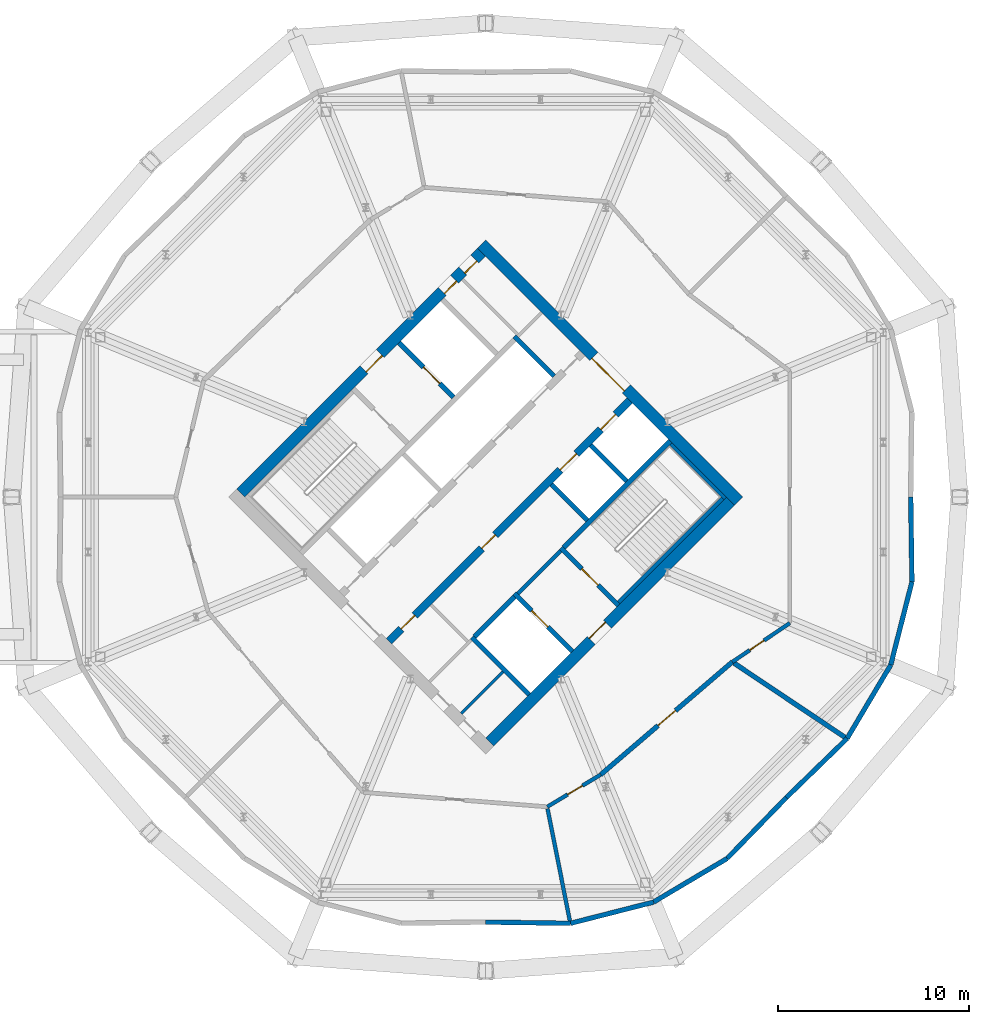
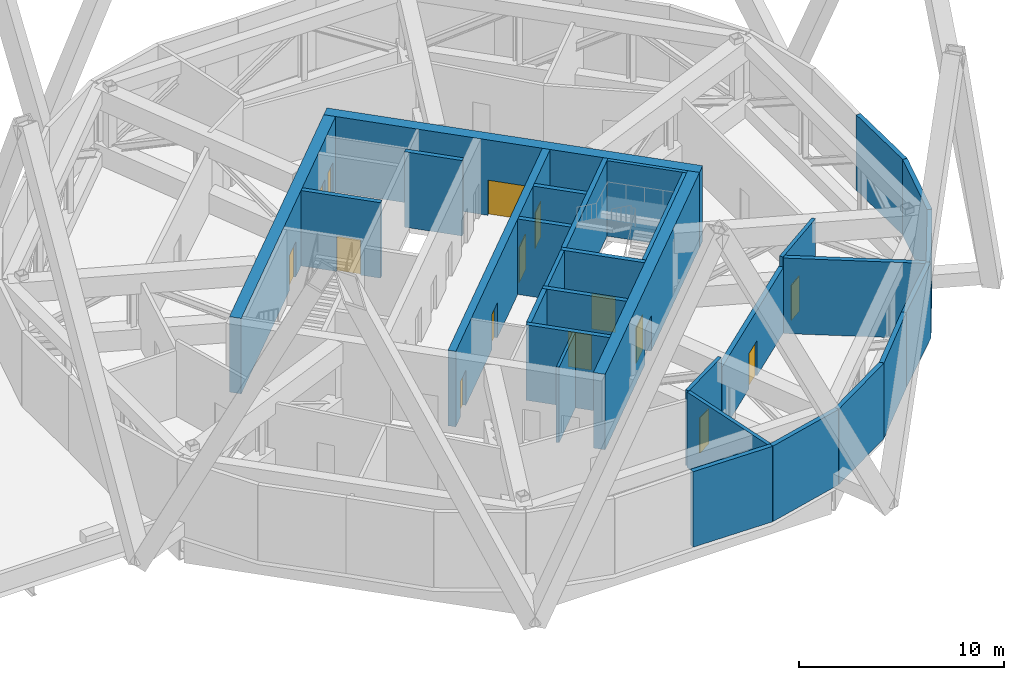
# One storey, part 16 of 20: 30 walls, 15 doors, 15 openings.
"""IFC4 building model written with IfcOpenShell, lengths in metres."""

from ifc_helpers import new_model, si_unit, direction, frame, frame_2d, origin, place, context, subcontext, project, spatial, rectangle, extrude, material, layer, layer_set, type_object, element, fill, save


model = new_model("IFC4")

# Units and contexts
model_context = context("Model", 3, precision=1e-05, world=origin(), true_north=direction((0.0, 1.0)))
body_context = subcontext(model_context, "Body", "Model", "MODEL_VIEW")
ifc_project = project(units=[si_unit("LENGTHUNIT", "METRE"), si_unit("AREAUNIT", "SQUARE_METRE"), si_unit("VOLUMEUNIT", "CUBIC_METRE"), si_unit("PLANEANGLEUNIT", "RADIAN"), si_unit("MASSUNIT", "GRAM", prefix="KILO")], contexts=[model_context])

# Site, building, storey
site_placement = place(None, origin())
site = spatial("IfcSite", under=ifc_project, at=site_placement, CompositionType="ELEMENT")
building_placement = place(site_placement, origin())
building = spatial("IfcBuilding", under=site, at=building_placement, Name="Ogive Gate Towers", CompositionType="ELEMENT")
storey_placement = place(building_placement, frame((0.0, 0.0, 160.800048828125)))
storey = spatial("IfcBuildingStorey", under=building, at=storey_placement, Name="L38", CompositionType="ELEMENT", Elevation=160.800048828125)

# Walls
ifc_material_1 = material(Name="Masonry blockwork", Category="masonry")
ifc_layer_1 = layer(ifc_material_1, 0.199951171875)
ifc_layer_set_1 = layer_set([ifc_layer_1], Name="Blockwork wall 200 mm")
wall_type_1 = type_object("IfcWallType", Name="Blockwork wall 200 mm", PredefinedType="PARTITIONING", material=ifc_layer_set_1)
wall_1_placement = place(storey_placement, frame((37.679443359375, -5.0380859375, 0.0), z_axis=(0.0, 0.0, 1.0), x_axis=(0.707106781187, 0.707106781187, 0.0)))
element("IfcWall", 1, at=wall_1_placement, inside=storey, type_object=wall_type_1, Name="T2 L38 Blockwork wall 200 mm", PredefinedType="PARTITIONING", context=body_context, shape_type="SweptSolid", body=[
    extrude(rectangle(XDim=3.14990234375, YDim=0.199951171875, at=frame_2d((1.574951171875, 0.0))), origin(), (0.0, 0.0, 1.0), 4.5),
])
ifc_material_2 = material(Name="Fire-rated block compartment wall")
ifc_layer_2 = layer(ifc_material_2, 0.199951171875)
ifc_layer_set_2 = layer_set([ifc_layer_2], Name="Compartment wall 200")
wall_type_2 = type_object("IfcWallType", Name="Compartment wall 200", PredefinedType="PARTITIONING", material=ifc_layer_set_2)
wall_2_placement = place(storey_placement, frame((40.428466796875, -22.30419921875, 0.0), z_axis=(0.0, 0.0, 1.0), x_axis=(-0.194754029692, 0.980852113174, 0.0)))
element("IfcWall", 2, at=wall_2_placement, inside=storey, type_object=wall_type_2, Name="Partition T2-L38-005", PredefinedType="PARTITIONING", context=body_context, shape_type="SweptSolid", body=[
    extrude(rectangle(XDim=6.13623046875, YDim=0.199951171875, at=frame_2d((3.068115234375, 0.0))), origin(), (0.0, 0.0, 1.0), 4.5),
])

# Wall, opening, door
wall_3_placement = place(storey_placement, frame((39.214111328125, -16.1875, 0.0), z_axis=(0.0, 0.0, 1.0), x_axis=(0.857261622912, 0.514881063822, 0.0)))
wall_3 = element("IfcWall", 3, at=wall_3_placement, inside=storey, type_object=wall_type_2, Name="Partition T2-L38-008", PredefinedType="PARTITIONING", context=body_context, shape_type="SweptSolid", body=[
    extrude(rectangle(XDim=3.2607421875, YDim=0.199951171875, at=frame_2d((1.63037109375, 0.0))), origin(), (0.0, 0.0, 1.0), 4.5),
])
opening_1_placement = place(wall_3_placement, frame((1.241943359375, 0.0, 0.0)))
opening_1 = element("IfcOpeningElement", 4, at=opening_1_placement, cuts=wall_3, Name="Opening T2-L38-D02", PredefinedType="OPENING", context=body_context, shape_type="SweptSolid", body=[
    extrude(rectangle(XDim=0.89990234375, YDim=2.10009765625, at=frame_2d((0.449951171875, 1.050048828125))), frame((0.0, 0.10986328125, 0.0), z_axis=(0.0, -1.0, 0.0), x_axis=(1.0, 0.0, 0.0)), (0.0, 0.0, 1.0), 0.219970703125),
])
ifc_material_3 = material(Name="Steel fire door", Category="steel")
door_type_1 = type_object("IfcDoorType", Name="Fire door 900 FD30S", OperationType="NOTDEFINED", PredefinedType="DOOR", material=ifc_material_3)
door_1_placement = place(opening_1_placement, origin())
door_1 = element("IfcDoor", 5, at=door_1_placement, inside=storey, type_object=door_type_1, Name="Door T2-L38-D02", OperationType="SINGLE_SWING_LEFT", OverallHeight=2.10009765625, OverallWidth=0.89990234375, PredefinedType="DOOR", context=body_context, shape_type="SweptSolid", body=[
    extrude(rectangle(XDim=0.89990234375, YDim=2.10009765625, at=frame_2d((0.449951171875, 1.050048828125))), frame((0.0, 0.02490234375, 0.0), z_axis=(0.0, -1.0, 0.0), x_axis=(1.0, 0.0, 0.0)), (0.0, 0.0, 1.0), 0.050048828125),
])
fill(opening_1, door_1)

wall_4_placement = place(storey_placement, frame((48.8876953125, -8.61767578125, 0.0), z_axis=(0.0, 0.0, 1.0), x_axis=(0.828275150553, 0.560321581751, 0.0)))
wall_4 = element("IfcWall", 6, at=wall_4_placement, inside=storey, type_object=wall_type_2, Name="Partition T2-L38-010", PredefinedType="PARTITIONING", context=body_context, shape_type="SweptSolid", body=[
    extrude(rectangle(XDim=3.6298828125, YDim=0.199951171875, at=frame_2d((1.81494140625, 0.0))), origin(), (0.0, 0.0, 1.0), 4.5),
])
opening_2_placement = place(wall_4_placement, frame((1.10302734375, 0.0, 0.0)))
opening_2 = element("IfcOpeningElement", 7, at=opening_2_placement, cuts=wall_4, Name="Opening T2-L38-D04", PredefinedType="OPENING", context=body_context, shape_type="SweptSolid", body=[
    extrude(rectangle(XDim=0.89990234375, YDim=2.10009765625, at=frame_2d((0.449951171875, 1.050048828125))), frame((0.0, 0.10986328125, 0.0), z_axis=(0.0, -1.0, 0.0), x_axis=(1.0, 0.0, 0.0)), (0.0, 0.0, 1.0), 0.219970703125),
])
door_2_placement = place(opening_2_placement, origin())
door_2 = element("IfcDoor", 8, at=door_2_placement, inside=storey, type_object=door_type_1, Name="Door T2-L38-D04", OperationType="SINGLE_SWING_RIGHT", OverallHeight=2.10009765625, OverallWidth=0.89990234375, PredefinedType="DOOR", context=body_context, shape_type="SweptSolid", body=[
    extrude(rectangle(XDim=0.89990234375, YDim=2.10009765625, at=frame_2d((0.449951171875, 1.050048828125))), frame((0.0, 0.02490234375, 0.0), z_axis=(0.0, -1.0, 0.0), x_axis=(1.0, 0.0, 0.0)), (0.0, 0.0, 1.0), 0.050048828125),
])
fill(opening_2, door_2)

ifc_material_4 = material(Name="Concrete C60/75", Category="concrete")
ifc_layer_3 = layer(ifc_material_4, 0.60009765625)
ifc_layer_set_3 = layer_set([ifc_layer_3], Name="Core wall 600 mm")
wall_type_3 = type_object("IfcWallType", Name="Core wall 600 mm", PredefinedType="SHEAR", material=ifc_layer_set_3)
wall_5_placement = place(storey_placement, frame((36.212158203125, -12.798583984375, 0.0), z_axis=(0.0, 0.0, 1.0), x_axis=(0.707106781187, 0.707106781187, 0.0)))
wall_5 = element("IfcWall", 9, at=wall_5_placement, inside=storey, type_object=wall_type_3, Name="T2 L38 Core wall 600 mm", PredefinedType="SHEAR", context=body_context, shape_type="SweptSolid", body=[
    extrude(rectangle(XDim=17.7998046875, YDim=0.60009765625, at=frame_2d((8.89990234375, 0.0))), origin(), (0.0, 0.0, 1.0), 4.5),
])
opening_3_placement = place(wall_5_placement, frame((7.5, 0.0, 0.0)))
opening_3 = element("IfcOpeningElement", 10, at=opening_3_placement, cuts=wall_5, Name="Opening KD-T2-L38-19", PredefinedType="OPENING", context=body_context, shape_type="SweptSolid", body=[
    extrude(rectangle(XDim=1.199951171875, YDim=2.10009765625, at=frame_2d((0.60009765625, 1.050048828125))), frame((0.0, 0.31005859375, 0.0), z_axis=(0.0, -1.0, 0.0), x_axis=(1.0, 0.0, 0.0)), (0.0, 0.0, 1.0), 0.6201171875),
])
door_type_2 = type_object("IfcDoorType", Name="Core door FD60S 1200 x 2100", OperationType="NOTDEFINED", PredefinedType="DOOR", material=ifc_material_3)
door_3_placement = place(opening_3_placement, origin())
door_3 = element("IfcDoor", 11, at=door_3_placement, inside=storey, type_object=door_type_2, Name="T2 L38 Fire-fighting lobby door", OperationType="SINGLE_SWING_RIGHT", OverallHeight=2.10009765625, OverallWidth=1.199951171875, PredefinedType="DOOR", context=body_context, shape_type="SweptSolid", body=[
    extrude(rectangle(XDim=1.199951171875, YDim=2.10009765625, at=frame_2d((0.60009765625, 1.050048828125))), frame((0.0, 0.1748046875, 0.0), z_axis=(0.0, -1.0, 0.0), x_axis=(1.0, 0.0, 0.0)), (0.0, 0.0, 1.0), 0.050048828125),
])
fill(opening_3, door_3)

# Wall, openings, doors
wall_6_placement = place(storey_placement, frame((23.201416015625, 0.212158203125, 0.0), z_axis=(0.0, 0.0, 1.0), x_axis=(0.707106781187, 0.707106781187, 0.0)))
wall_6 = element("IfcWall", 12, at=wall_6_placement, inside=storey, type_object=wall_type_3, Name="T2 L38 Core wall 600 mm", PredefinedType="SHEAR", context=body_context, shape_type="SweptSolid", body=[
    extrude(rectangle(XDim=17.7998046875, YDim=0.60009765625, at=frame_2d((8.89990234375, 0.0))), origin(), (0.0, 0.0, 1.0), 4.5),
])
opening_4_placement = place(wall_6_placement, frame((9.10009765625, 0.0, 0.0)))
opening_4 = element("IfcOpeningElement", 13, at=opening_4_placement, cuts=wall_6, Name="Opening KD-T2-L38-18", PredefinedType="OPENING", context=body_context, shape_type="SweptSolid", body=[
    extrude(rectangle(XDim=1.199951171875, YDim=2.10009765625, at=frame_2d((0.60009765625, 1.050048828125))), frame((0.0, 0.31005859375, 0.0), z_axis=(0.0, -1.0, 0.0), x_axis=(1.0, 0.0, 0.0)), (0.0, 0.0, 1.0), 0.6201171875),
])
opening_5_placement = place(wall_6_placement, frame((14.89990234375, 0.0, 0.0)))
opening_5 = element("IfcOpeningElement", 14, at=opening_5_placement, cuts=wall_6, Name="Opening KD-T2-L38-20", PredefinedType="OPENING", context=body_context, shape_type="SweptSolid", body=[
    extrude(rectangle(XDim=0.89990234375, YDim=2.10009765625, at=frame_2d((0.449951171875, 1.050048828125))), frame((0.0, 0.31005859375, 0.0), z_axis=(0.0, -1.0, 0.0), x_axis=(1.0, 0.0, 0.0)), (0.0, 0.0, 1.0), 0.6201171875),
])
opening_6_placement = place(wall_6_placement, frame((16.39990234375, 0.0, 0.0)))
opening_6 = element("IfcOpeningElement", 15, at=opening_6_placement, cuts=wall_6, Name="Opening KD-T2-L38-21", PredefinedType="OPENING", context=body_context, shape_type="SweptSolid", body=[
    extrude(rectangle(XDim=0.89990234375, YDim=2.10009765625, at=frame_2d((0.449951171875, 1.050048828125))), frame((0.0, 0.31005859375, 0.0), z_axis=(0.0, -1.0, 0.0), x_axis=(1.0, 0.0, 0.0)), (0.0, 0.0, 1.0), 0.6201171875),
])
door_4_placement = place(opening_4_placement, origin())
door_4 = element("IfcDoor", 16, at=door_4_placement, inside=storey, type_object=door_type_2, Name="T2 L38 Fire-fighting lobby door", OperationType="SINGLE_SWING_LEFT", OverallHeight=2.10009765625, OverallWidth=1.199951171875, PredefinedType="DOOR", context=body_context, shape_type="SweptSolid", body=[
    extrude(rectangle(XDim=1.199951171875, YDim=2.10009765625, at=frame_2d((0.60009765625, 1.050048828125))), frame((0.0, -0.125, 0.0), z_axis=(0.0, -1.0, 0.0), x_axis=(1.0, 0.0, 0.0)), (0.0, 0.0, 1.0), 0.050048828125),
])
fill(opening_4, door_4)
door_type_3 = type_object("IfcDoorType", Name="Core door FD60S 900 x 2100", OperationType="NOTDEFINED", PredefinedType="DOOR", material=ifc_material_3)
door_5_placement = place(opening_5_placement, origin())
door_5 = element("IfcDoor", 17, at=door_5_placement, inside=storey, type_object=door_type_3, Name="T2 L38 Core door", OperationType="SINGLE_SWING_LEFT", OverallHeight=2.10009765625, OverallWidth=0.89990234375, PredefinedType="DOOR", context=body_context, shape_type="SweptSolid", body=[
    extrude(rectangle(XDim=0.89990234375, YDim=2.10009765625, at=frame_2d((0.449951171875, 1.050048828125))), frame((0.0, -0.125, 0.0), z_axis=(0.0, -1.0, 0.0), x_axis=(1.0, 0.0, 0.0)), (0.0, 0.0, 1.0), 0.050048828125),
])
fill(opening_5, door_5)
door_6_placement = place(opening_6_placement, origin())
door_6 = element("IfcDoor", 18, at=door_6_placement, inside=storey, type_object=door_type_3, Name="T2 L38 Core door", OperationType="SINGLE_SWING_RIGHT", OverallHeight=2.10009765625, OverallWidth=0.89990234375, PredefinedType="DOOR", context=body_context, shape_type="SweptSolid", body=[
    extrude(rectangle(XDim=0.89990234375, YDim=2.10009765625, at=frame_2d((0.449951171875, 1.050048828125))), frame((0.0, -0.125, 0.0), z_axis=(0.0, -1.0, 0.0), x_axis=(1.0, 0.0, 0.0)), (0.0, 0.0, 1.0), 0.050048828125),
])
fill(opening_6, door_6)

# Wall, opening, door
wall_7_placement = place(storey_placement, frame((49.222900390625, -0.212158203125, 0.0), z_axis=(0.0, 0.0, 1.0), x_axis=(-0.707106781187, 0.707106781187, 0.0)))
wall_7 = element("IfcWall", 19, at=wall_7_placement, inside=storey, type_object=wall_type_3, Name="T2 L38 Core wall 600 mm", PredefinedType="SHEAR", context=body_context, shape_type="SweptSolid", body=[
    extrude(rectangle(XDim=19.0, YDim=0.60009765625, at=frame_2d((9.5, 0.0))), origin(), (0.0, 0.0, 1.0), 4.5),
])
opening_7_placement = place(wall_7_placement, frame((8.300048828125, 0.0, 0.0)))
opening_7 = element("IfcOpeningElement", 20, at=opening_7_placement, cuts=wall_7, Name="Opening KD-T2-L38-02", PredefinedType="OPENING", context=body_context, shape_type="SweptSolid", body=[
    extrude(rectangle(XDim=2.39990234375, YDim=2.10009765625, at=frame_2d((1.199951171875, 1.050048828125))), frame((0.0, 0.31005859375, 0.0), z_axis=(0.0, -1.0, 0.0), x_axis=(1.0, 0.0, 0.0)), (0.0, 0.0, 1.0), 0.6201171875),
])
door_type_4 = type_object("IfcDoorType", Name="Core double door FD60S 2400 x 2100", OperationType="DOUBLE_DOOR_SINGLE_SWING", PredefinedType="DOOR", material=ifc_material_3)
door_7_placement = place(opening_7_placement, origin())
door_7 = element("IfcDoor", 21, at=door_7_placement, inside=storey, type_object=door_type_4, Name="T2 L38 Core door double", OperationType="DOUBLE_DOOR_SINGLE_SWING", OverallHeight=2.10009765625, OverallWidth=2.39990234375, PredefinedType="DOOR", context=body_context, shape_type="SweptSolid", body=[
    extrude(rectangle(XDim=2.39990234375, YDim=2.10009765625, at=frame_2d((1.199951171875, 1.050048828125))), frame((0.0, 0.1748046875, 0.0), z_axis=(0.0, -1.0, 0.0), x_axis=(1.0, 0.0, 0.0)), (0.0, 0.0, 1.0), 0.050048828125),
])
fill(opening_7, door_7)

# Walls
ifc_material_5 = material(Name="Pale metal aluminium louvre", Category="aluminium")
ifc_layer_4 = layer(ifc_material_5, 0.25)
ifc_layer_set_4 = layer_set([ifc_layer_4], Name="Plant louvre wall")
wall_type_4 = type_object("IfcWallType", Name="Plant louvre wall", PredefinedType="SOLIDWALL", material=ifc_layer_set_4)
wall_8_placement = place(storey_placement, frame((36.0, -22.215087890625, 0.0), z_axis=(0.0, 0.0, 1.0), x_axis=(0.99989908405, -0.014206397031, 0.0)))
element("IfcWall", 22, at=wall_8_placement, inside=storey, type_object=wall_type_4, Name="Plant louvre wall", PredefinedType="SOLIDWALL", context=body_context, shape_type="SweptSolid", body=[
    extrude(rectangle(XDim=4.433837890625, YDim=0.25, at=frame_2d((2.216796875, 0.0))), origin(), (0.0, 0.0, 1.0), 4.5),
])
wall_9_placement = place(storey_placement, frame((40.433349609375, -22.278076171875, 0.0), z_axis=(0.0, 0.0, 1.0), x_axis=(0.968881251356, 0.247526000192, 0.0)))
element("IfcWall", 23, at=wall_9_placement, inside=storey, type_object=wall_type_4, Name="Plant louvre wall", PredefinedType="SOLIDWALL", context=body_context, shape_type="SweptSolid", body=[
    extrude(rectangle(XDim=4.474853515625, YDim=0.25, at=frame_2d((2.2373046875, 0.0))), origin(), (0.0, 0.0, 1.0), 4.5),
])
wall_10_placement = place(storey_placement, frame((44.76904296875, -21.17041015625, 0.0), z_axis=(0.0, 0.0, 1.0), x_axis=(0.860119566149, 0.510092473899, 0.0)))
element("IfcWall", 24, at=wall_10_placement, inside=storey, type_object=wall_type_4, Name="Plant louvre wall", PredefinedType="SOLIDWALL", context=body_context, shape_type="SweptSolid", body=[
    extrude(rectangle(XDim=4.47509765625, YDim=0.25, at=frame_2d((2.237548828125, 0.0))), origin(), (0.0, 0.0, 1.0), 4.5),
])
for number, where, z_axis, x_axis, name in (
    (25, (48.6181640625, -18.8876953125, 0.0), (0.0, 0.0, 1.0), (0.69701391124, 0.717057604058, 0.0), "Plant louvre wall"),
    (26, (51.70849609375, -15.70849609375, 0.0), (0.0, 0.0, 1.0), (0.717057604058, 0.69701391124, 0.0), "Plant louvre wall"),
):
    element("IfcWall", number, at=place(storey_placement, frame(where, z_axis=z_axis, x_axis=x_axis)), inside=storey, type_object=wall_type_4, Name=name, PredefinedType="SOLIDWALL", context=body_context, shape_type="SweptSolid", body=[
        extrude(rectangle(XDim=4.43359375, YDim=0.25, at=frame_2d((2.216796875, 0.0))), origin(), (0.0, 0.0, 1.0), 4.5),
    ])
wall_11_placement = place(storey_placement, frame((54.8876953125, -12.6181640625, 0.0), z_axis=(0.0, 0.0, 1.0), x_axis=(0.510092473899, 0.860119566149, 0.0)))
element("IfcWall", 27, at=wall_11_placement, inside=storey, type_object=wall_type_4, Name="Plant louvre wall", PredefinedType="SOLIDWALL", context=body_context, shape_type="SweptSolid", body=[
    extrude(rectangle(XDim=4.47509765625, YDim=0.25, at=frame_2d((2.237548828125, 0.0))), origin(), (0.0, 0.0, 1.0), 4.5),
])
wall_12_placement = place(storey_placement, frame((57.17041015625, -8.76904296875, 0.0), z_axis=(0.0, 0.0, 1.0), x_axis=(0.247526000192, 0.968881251356, 0.0)))
element("IfcWall", 28, at=wall_12_placement, inside=storey, type_object=wall_type_4, Name="Plant louvre wall", PredefinedType="SOLIDWALL", context=body_context, shape_type="SweptSolid", body=[
    extrude(rectangle(XDim=4.474853515625, YDim=0.25, at=frame_2d((2.2373046875, 0.0))), origin(), (0.0, 0.0, 1.0), 4.5),
])
wall_13_placement = place(storey_placement, frame((58.278076171875, -4.433349609375, 0.0), z_axis=(0.0, 0.0, 1.0), x_axis=(-0.014206397031, 0.99989908405, 0.0)))
element("IfcWall", 29, at=wall_13_placement, inside=storey, type_object=wall_type_4, Name="Plant louvre wall", PredefinedType="SOLIDWALL", context=body_context, shape_type="SweptSolid", body=[
    extrude(rectangle(XDim=4.433837890625, YDim=0.25, at=frame_2d((2.216796875, 0.0))), origin(), (0.0, 0.0, 1.0), 4.5),
])
ifc_material_6 = material(Name="Fire-rated concrete block wall", Category="concrete")
ifc_layer_5 = layer(ifc_material_6, 0.25)
ifc_layer_set_5 = layer_set([ifc_layer_5], Name="Refuge compartment wall 250")
wall_type_5 = type_object("IfcWallType", Name="Refuge compartment wall 250", PredefinedType="PARTITIONING", material=ifc_layer_set_5)
wall_14_placement = place(storey_placement, frame((54.90283203125, -12.639892578125, 0.0), z_axis=(0.0, 0.0, 1.0), x_axis=(-0.831278311074, 0.55585642889, 0.0)))
element("IfcWall", 30, at=wall_14_placement, inside=storey, type_object=wall_type_5, Name="Partition T2-L38-006", PredefinedType="PARTITIONING", context=body_context, shape_type="SweptSolid", body=[
    extrude(rectangle(XDim=7.11083984375, YDim=0.25, at=frame_2d((3.555419921875, 0.0))), origin(), (0.0, 0.0, 1.0), 4.5),
])

# Wall, opening, door
wall_15_placement = place(storey_placement, frame((42.009521484375, -14.508544921875, 0.0), z_axis=(0.0, 0.0, 1.0), x_axis=(0.759513445787, 0.650491603073, 0.0)))
wall_15 = element("IfcWall", 31, at=wall_15_placement, inside=storey, type_object=wall_type_5, Name="Partition T2-L38-009", PredefinedType="PARTITIONING", context=body_context, shape_type="SweptSolid", body=[
    extrude(rectangle(XDim=9.055908203125, YDim=0.25, at=frame_2d((4.52783203125, 0.0))), origin(), (0.0, 0.0, 1.0), 3.89990234375),
])
opening_8_placement = place(wall_15_placement, frame((3.949951171875, 0.0, 0.0)))
opening_8 = element("IfcOpeningElement", 32, at=opening_8_placement, cuts=wall_15, Name="Opening T2-L38-D03", PredefinedType="OPENING", context=body_context, shape_type="SweptSolid", body=[
    extrude(rectangle(XDim=1.199951171875, YDim=2.10009765625, at=frame_2d((0.60009765625, 1.050048828125))), frame((0.0, 0.135009765625, 0.0), z_axis=(0.0, -1.0, 0.0), x_axis=(1.0, 0.0, 0.0)), (0.0, 0.0, 1.0), 0.27001953125),
])
door_type_5 = type_object("IfcDoorType", Name="Fire door 1200 FD60S", OperationType="NOTDEFINED", PredefinedType="DOOR", material=ifc_material_3)
door_8_placement = place(opening_8_placement, origin())
door_8 = element("IfcDoor", 33, at=door_8_placement, inside=storey, type_object=door_type_5, Name="Door T2-L38-D03", OperationType="SINGLE_SWING_LEFT", OverallHeight=2.10009765625, OverallWidth=1.199951171875, PredefinedType="DOOR", context=body_context, shape_type="SweptSolid", body=[
    extrude(rectangle(XDim=1.199951171875, YDim=2.10009765625, at=frame_2d((0.60009765625, 1.050048828125))), frame((0.0, 0.02490234375, 0.0), z_axis=(0.0, -1.0, 0.0), x_axis=(1.0, 0.0, 0.0)), (0.0, 0.0, 1.0), 0.050048828125),
])
fill(opening_8, door_8)

# Walls
ifc_material_7 = material(Name="Gypsum board partition")
ifc_layer_6 = layer(ifc_material_7, 0.14990234375)
ifc_layer_set_6 = layer_set([ifc_layer_6], Name="Room partition 150 mm")
wall_type_6 = type_object("IfcWallType", Name="Room partition 150 mm", PredefinedType="PARTITIONING", material=ifc_layer_set_6)
wall_16_placement = place(storey_placement, frame((34.727294921875, -11.313720703125, 0.0), z_axis=(0.0, 0.0, 1.0), x_axis=(0.707106781187, 0.707106781187, 0.0)))
element("IfcWall", 34, at=wall_16_placement, inside=storey, type_object=wall_type_6, Name="T2 L38 Room partition 150 mm", PredefinedType="PARTITIONING", context=body_context, shape_type="SweptSolid", body=[
    extrude(rectangle(XDim=3.074951171875, YDim=0.14990234375, at=frame_2d((1.53759765625, 0.0))), origin(), (0.0, 0.0, 1.0), 4.5),
])
ifc_layer_7 = layer(ifc_material_4, 0.25)
ifc_layer_set_7 = layer_set([ifc_layer_7], Name="Shaft wall 250 mm")
wall_type_7 = type_object("IfcWallType", Name="Shaft wall 250 mm", PredefinedType="SHEAR", material=ifc_layer_set_7)
wall_17_placement = place(storey_placement, frame((35.41650390625, -7.30078125, 0.0), z_axis=(0.0, 0.0, 1.0), x_axis=(0.707148157867, 0.707065402085, 0.0)))
element("IfcWall", 35, at=wall_17_placement, inside=storey, type_object=wall_type_7, Name="T2 L38 Shaft wall 250 mm", PredefinedType="SHEAR", context=body_context, shape_type="SweptSolid", body=[
    extrude(rectangle(XDim=2.9501953125, YDim=0.25, at=frame_2d((1.47509765625, 0.0))), origin(), (0.0, 0.0, 1.0), 4.5),
])
wall_18_placement = place(storey_placement, frame((40.08349609375, -2.634033203125, 0.0), z_axis=(0.0, 0.0, 1.0), x_axis=(0.707106781187, 0.707106781187, 0.0)))
element("IfcWall", 36, at=wall_18_placement, inside=storey, type_object=wall_type_7, Name="T2 L38 Shaft wall 250 mm", PredefinedType="SHEAR", context=body_context, shape_type="SweptSolid", body=[
    extrude(rectangle(XDim=7.875244140625, YDim=0.25, at=frame_2d((3.9375, 0.0))), origin(), (0.0, 0.0, 1.0), 4.5),
])
wall_19_placement = place(storey_placement, frame((38.2626953125, -10.32373046875, 0.0), z_axis=(0.0, 0.0, 1.0), x_axis=(-0.707106781187, 0.707106781187, 0.0)))
element("IfcWall", 37, at=wall_19_placement, inside=storey, type_object=wall_type_7, Name="T2 L38 Shaft wall 250 mm", PredefinedType="SHEAR", context=body_context, shape_type="SweptSolid", body=[
    extrude(rectangle(XDim=4.22509765625, YDim=0.25, at=frame_2d((2.112548828125, 0.0))), origin(), (0.0, 0.0, 1.0), 4.5),
])

# Wall, opening, door
wall_20_placement = place(storey_placement, frame((40.525390625, -8.06103515625, 0.0), z_axis=(0.0, 0.0, 1.0), x_axis=(-0.707078225638, 0.707135335582, 0.0)))
wall_20 = element("IfcWall", 38, at=wall_20_placement, inside=storey, type_object=wall_type_7, Name="T2 L38 Shaft wall 250 mm", PredefinedType="SHEAR", context=body_context, shape_type="SweptSolid", body=[
    extrude(rectangle(XDim=4.27490234375, YDim=0.25, at=frame_2d((2.137451171875, 0.0))), origin(), (0.0, 0.0, 1.0), 4.5),
])
opening_9_placement = place(wall_20_placement, frame((1.800048828125, 0.0, 0.0)))
opening_9 = element("IfcOpeningElement", 39, at=opening_9_placement, cuts=wall_20, Name="Opening LD-T2-L38-13", PredefinedType="OPENING", context=body_context, shape_type="SweptSolid", body=[
    extrude(rectangle(XDim=1.199951171875, YDim=2.10009765625, at=frame_2d((0.60009765625, 1.050048828125))), frame((0.0, 0.135009765625, 0.0), z_axis=(0.0, -1.0, 0.0), x_axis=(1.0, 0.0, 0.0)), (0.0, 0.0, 1.0), 0.27001953125),
])
ifc_material_8 = material(Name="Stainless steel landing door", Category="steel")
door_type_6 = type_object("IfcDoorType", Name="Landing door 1200 x 2100", OperationType="SLIDING_TO_LEFT", PredefinedType="DOOR", material=ifc_material_8)
door_9_placement = place(opening_9_placement, origin())
door_9 = element("IfcDoor", 40, at=door_9_placement, inside=storey, type_object=door_type_6, Name="T2 L38 Lift landing door FF2", OperationType="SLIDING_TO_LEFT", OverallHeight=2.10009765625, OverallWidth=1.199951171875, PredefinedType="DOOR", context=body_context, shape_type="SweptSolid", body=[
    extrude(rectangle(XDim=1.199951171875, YDim=2.10009765625, at=frame_2d((0.60009765625, 1.050048828125))), frame((0.0, 0.02490234375, 0.0), z_axis=(0.0, -1.0, 0.0), x_axis=(1.0, 0.0, 0.0)), (0.0, 0.0, 1.0), 0.050048828125),
])
fill(opening_9, door_9)

wall_21_placement = place(storey_placement, frame((42.9296875, -5.656982421875, 0.0), z_axis=(0.0, 0.0, 1.0), x_axis=(-0.707106781187, 0.707106781187, 0.0)))
wall_21 = element("IfcWall", 41, at=wall_21_placement, inside=storey, type_object=wall_type_7, Name="T2 L38 Shaft wall 250 mm", PredefinedType="SHEAR", context=body_context, shape_type="SweptSolid", body=[
    extrude(rectangle(XDim=4.250244140625, YDim=0.25, at=frame_2d((2.125, 0.0))), origin(), (0.0, 0.0, 1.0), 4.5),
])
opening_10_placement = place(wall_21_placement, frame((1.5, 0.0, 0.0)))
opening_10 = element("IfcOpeningElement", 42, at=opening_10_placement, cuts=wall_21, Name="Opening KD-T2-L38-17", PredefinedType="OPENING", context=body_context, shape_type="SweptSolid", body=[
    extrude(rectangle(XDim=1.199951171875, YDim=2.10009765625, at=frame_2d((0.60009765625, 1.050048828125))), frame((0.0, 0.135009765625, 0.0), z_axis=(0.0, -1.0, 0.0), x_axis=(1.0, 0.0, 0.0)), (0.0, 0.0, 1.0), 0.27001953125),
])
door_10_placement = place(opening_10_placement, origin())
door_10 = element("IfcDoor", 43, at=door_10_placement, inside=storey, type_object=door_type_2, Name="T2 L38 Stair door", OperationType="SINGLE_SWING_RIGHT", OverallHeight=2.10009765625, OverallWidth=1.199951171875, PredefinedType="DOOR", context=body_context, shape_type="SweptSolid", body=[
    extrude(rectangle(XDim=1.199951171875, YDim=2.10009765625, at=frame_2d((0.60009765625, 1.050048828125))), frame((0.0, 0.02490234375, 0.0), z_axis=(0.0, -1.0, 0.0), x_axis=(1.0, 0.0, 0.0)), (0.0, 0.0, 1.0), 0.050048828125),
])
fill(opening_10, door_10)

wall_22_placement = place(storey_placement, frame((34.320556640625, 5.21484375, 0.0), z_axis=(0.0, 0.0, 1.0), x_axis=(-0.70707645213, 0.707137108942, 0.0)))
wall_22 = element("IfcWall", 44, at=wall_22_placement, inside=storey, type_object=wall_type_7, Name="T2 L38 Shaft wall 250 mm", PredefinedType="SHEAR", context=body_context, shape_type="SweptSolid", body=[
    extrude(rectangle(XDim=4.02490234375, YDim=0.25, at=frame_2d((2.012451171875, 0.0))), origin(), (0.0, 0.0, 1.0), 4.5),
])
opening_11_placement = place(wall_22_placement, frame((1.02490234375, 0.0, 0.0)))
opening_11 = element("IfcOpeningElement", 45, at=opening_11_placement, cuts=wall_22, Name="Opening LD-T2-L38-12", PredefinedType="OPENING", context=body_context, shape_type="SweptSolid", body=[
    extrude(rectangle(XDim=1.199951171875, YDim=2.10009765625, at=frame_2d((0.60009765625, 1.050048828125))), frame((0.0, 0.135009765625, 0.0), z_axis=(0.0, -1.0, 0.0), x_axis=(1.0, 0.0, 0.0)), (0.0, 0.0, 1.0), 0.27001953125),
])
door_11_placement = place(opening_11_placement, origin())
door_11 = element("IfcDoor", 46, at=door_11_placement, inside=storey, type_object=door_type_6, Name="T2 L38 Lift landing door FF1", OperationType="SLIDING_TO_LEFT", OverallHeight=2.10009765625, OverallWidth=1.199951171875, PredefinedType="DOOR", context=body_context, shape_type="SweptSolid", body=[
    extrude(rectangle(XDim=1.199951171875, YDim=2.10009765625, at=frame_2d((0.60009765625, 1.050048828125))), frame((0.0, 0.02490234375, 0.0), z_axis=(0.0, -1.0, 0.0), x_axis=(1.0, 0.0, 0.0)), (0.0, 0.0, 1.0), 0.050048828125),
])
fill(opening_11, door_11)

# Walls
for number, where, z_axis, x_axis, name in (
    (47, (41.321044921875, -1.2197265625, 0.0), (0.0, 0.0, 1.0), (-0.707106781187, 0.707106781187, 0.0), "T2 L38 Shaft wall 250 mm"),
    (48, (43.37158203125, 0.830810546875, 0.0), (0.0, 0.0, 1.0), (-0.707106781187, 0.707106781187, 0.0), "T2 L38 Shaft wall 250 mm"),
):
    element("IfcWall", number, at=place(storey_placement, frame(where, z_axis=z_axis, x_axis=x_axis)), inside=storey, type_object=wall_type_7, Name=name, PredefinedType="SHEAR", context=body_context, shape_type="SweptSolid", body=[
        extrude(rectangle(XDim=2.675048828125, YDim=0.25, at=frame_2d((1.33740234375, 0.0))), origin(), (0.0, 0.0, 1.0), 4.5),
    ])
wall_23_placement = place(storey_placement, frame((39.57080078125, 6.32861328125, 0.0), z_axis=(0.0, 0.0, 1.0), x_axis=(-0.707065045505, 0.707148514405, 0.0)))
element("IfcWall", 49, at=wall_23_placement, inside=storey, type_object=wall_type_7, Name="T2 L38 Shaft wall 250 mm", PredefinedType="SHEAR", context=body_context, shape_type="SweptSolid", body=[
    extrude(rectangle(XDim=2.925048828125, YDim=0.25, at=frame_2d((1.46240234375, 0.0))), origin(), (0.0, 0.0, 1.0), 4.5),
])

# Wall, openings, doors
ifc_layer_8 = layer(ifc_material_4, 0.39990234375)
ifc_layer_set_8 = layer_set([ifc_layer_8], Name="Spine wall 400 mm")
wall_type_8 = type_object("IfcWallType", Name="Spine wall 400 mm", PredefinedType="SHEAR", material=ifc_layer_set_8)
wall_24_placement = place(storey_placement, frame((30.944091796875, -7.53076171875, 0.0), z_axis=(0.0, 0.0, 1.0), x_axis=(0.707106781187, 0.707106781187, 0.0)))
wall_24 = element("IfcWall", 50, at=wall_24_placement, inside=storey, type_object=wall_type_8, Name="T2 L38 Spine wall 400 mm", PredefinedType="SHEAR", context=body_context, shape_type="SweptSolid", body=[
    extrude(rectangle(XDim=17.80029296875, YDim=0.39990234375, at=frame_2d((8.900146484375, 0.0))), origin(), (0.0, 0.0, 1.0), 4.5),
])
opening_12_placement = place(wall_24_placement, frame((12.64990234375, 0.0, 0.0)))
opening_12 = element("IfcOpeningElement", 51, at=opening_12_placement, cuts=wall_24, Name="Opening LD-T2-L38-10", PredefinedType="OPENING", context=body_context, shape_type="SweptSolid", body=[
    extrude(rectangle(XDim=1.199951171875, YDim=2.10009765625, at=frame_2d((0.60009765625, 1.050048828125))), frame((0.0, 0.2099609375, 0.0), z_axis=(0.0, -1.0, 0.0), x_axis=(1.0, 0.0, 0.0)), (0.0, 0.0, 1.0), 0.419921875),
])
opening_13_placement = place(wall_24_placement, frame((15.64990234375, 0.0, 0.0)))
opening_13 = element("IfcOpeningElement", 52, at=opening_13_placement, cuts=wall_24, Name="Opening LD-T2-L38-11", PredefinedType="OPENING", context=body_context, shape_type="SweptSolid", body=[
    extrude(rectangle(XDim=1.10009765625, YDim=2.10009765625, at=frame_2d((0.550048828125, 1.050048828125))), frame((0.0, 0.2099609375, 0.0), z_axis=(0.0, -1.0, 0.0), x_axis=(1.0, 0.0, 0.0)), (0.0, 0.0, 1.0), 0.419921875),
])
opening_14_placement = place(wall_24_placement, frame((0.89990234375, 0.0, 0.0)))
opening_14 = element("IfcOpeningElement", 53, at=opening_14_placement, cuts=wall_24, Name="Opening KD-T2-L38-14", PredefinedType="OPENING", context=body_context, shape_type="SweptSolid", body=[
    extrude(rectangle(XDim=1.0, YDim=2.10009765625, at=frame_2d((0.5, 1.050048828125))), frame((0.0, 0.2099609375, 0.0), z_axis=(0.0, -1.0, 0.0), x_axis=(1.0, 0.0, 0.0)), (0.0, 0.0, 1.0), 0.419921875),
])
opening_15_placement = place(wall_24_placement, frame((6.85009765625, 0.0, 0.0)))
opening_15 = element("IfcOpeningElement", 54, at=opening_15_placement, cuts=wall_24, Name="Opening KD-T2-L38-15", PredefinedType="OPENING", context=body_context, shape_type="SweptSolid", body=[
    extrude(rectangle(XDim=1.0, YDim=2.10009765625, at=frame_2d((0.5, 1.050048828125))), frame((0.0, 0.2099609375, 0.0), z_axis=(0.0, -1.0, 0.0), x_axis=(1.0, 0.0, 0.0)), (0.0, 0.0, 1.0), 0.419921875),
])
door_type_7 = type_object("IfcDoorType", Name="Core door FD60S 1000 x 2100", OperationType="NOTDEFINED", PredefinedType="DOOR", material=ifc_material_3)
door_12_placement = place(opening_14_placement, origin())
door_12 = element("IfcDoor", 55, at=door_12_placement, inside=storey, type_object=door_type_7, Name="T2 L38 Core door", OperationType="SINGLE_SWING_LEFT", OverallHeight=2.10009765625, OverallWidth=1.0, PredefinedType="DOOR", context=body_context, shape_type="SweptSolid", body=[
    extrude(rectangle(XDim=1.0, YDim=2.10009765625, at=frame_2d((0.5, 1.050048828125))), frame((0.0, 0.02490234375, 0.0), z_axis=(0.0, -1.0, 0.0), x_axis=(1.0, 0.0, 0.0)), (0.0, 0.0, 1.0), 0.050048828125),
])
fill(opening_14, door_12)
door_13_placement = place(opening_15_placement, origin())
door_13 = element("IfcDoor", 56, at=door_13_placement, inside=storey, type_object=door_type_7, Name="T2 L38 Core door", OperationType="SINGLE_SWING_RIGHT", OverallHeight=2.10009765625, OverallWidth=1.0, PredefinedType="DOOR", context=body_context, shape_type="SweptSolid", body=[
    extrude(rectangle(XDim=1.0, YDim=2.10009765625, at=frame_2d((0.5, 1.050048828125))), frame((0.0, 0.02490234375, 0.0), z_axis=(0.0, -1.0, 0.0), x_axis=(1.0, 0.0, 0.0)), (0.0, 0.0, 1.0), 0.050048828125),
])
fill(opening_15, door_13)
door_type_8 = type_object("IfcDoorType", Name="Landing door 1100 x 2100", OperationType="SLIDING_TO_LEFT", PredefinedType="DOOR", material=ifc_material_8)
door_14_placement = place(opening_13_placement, origin())
door_14 = element("IfcDoor", 57, at=door_14_placement, inside=storey, type_object=door_type_8, Name="T2 L38 Lift landing door B6", OperationType="SLIDING_TO_LEFT", OverallHeight=2.10009765625, OverallWidth=1.10009765625, PredefinedType="DOOR", context=body_context, shape_type="SweptSolid", body=[
    extrude(rectangle(XDim=1.10009765625, YDim=2.10009765625, at=frame_2d((0.550048828125, 1.050048828125))), frame((0.0, 0.02490234375, 0.0), z_axis=(0.0, -1.0, 0.0), x_axis=(1.0, 0.0, 0.0)), (0.0, 0.0, 1.0), 0.050048828125),
])
fill(opening_13, door_14)
door_15_placement = place(opening_12_placement, origin())
door_15 = element("IfcDoor", 58, at=door_15_placement, inside=storey, type_object=door_type_6, Name="T2 L38 Lift landing door SVC", OperationType="SLIDING_TO_LEFT", OverallHeight=2.10009765625, OverallWidth=1.199951171875, PredefinedType="DOOR", context=body_context, shape_type="SweptSolid", body=[
    extrude(rectangle(XDim=1.199951171875, YDim=2.10009765625, at=frame_2d((0.60009765625, 1.050048828125))), frame((0.0, 0.02490234375, 0.0), z_axis=(0.0, -1.0, 0.0), x_axis=(1.0, 0.0, 0.0)), (0.0, 0.0, 1.0), 0.050048828125),
])
fill(opening_12, door_15)

# Walls
ifc_layer_9 = layer(ifc_material_4, 0.199951171875)
ifc_layer_set_9 = layer_set([ifc_layer_9], Name="Stair wall 200 mm")
wall_type_9 = type_object("IfcWallType", Name="Stair wall 200 mm", PredefinedType="SHEAR", material=ifc_layer_set_9)
wall_25_placement = place(storey_placement, frame((42.947265625, -5.497802734375, 0.0), z_axis=(0.0, 0.0, 1.0), x_axis=(0.707122685701, 0.707090876314, 0.0)))
element("IfcWall", 59, at=wall_25_placement, inside=storey, type_object=wall_type_9, Name="T2 L38 Stair wall 200 mm", PredefinedType="SHEAR", context=body_context, shape_type="SweptSolid", body=[
    extrude(rectangle(XDim=7.675048828125, YDim=0.199951171875, at=frame_2d((3.83740234375, 0.0))), origin(), (0.0, 0.0, 1.0), 4.5),
])
wall_26_placement = place(storey_placement, frame((48.515869140625, -0.07080078125, 0.0), z_axis=(0.0, 0.0, 1.0), x_axis=(-0.707106781187, 0.707106781187, 0.0)))
element("IfcWall", 60, at=wall_26_placement, inside=storey, type_object=wall_type_9, Name="T2 L38 Stair wall 200 mm", PredefinedType="SHEAR", context=body_context, shape_type="SweptSolid", body=[
    extrude(rectangle(XDim=4.025146484375, YDim=0.199951171875, at=frame_2d((2.0126953125, 0.0))), origin(), (0.0, 0.0, 1.0), 4.5),
])

save(model, "model.ifc")
